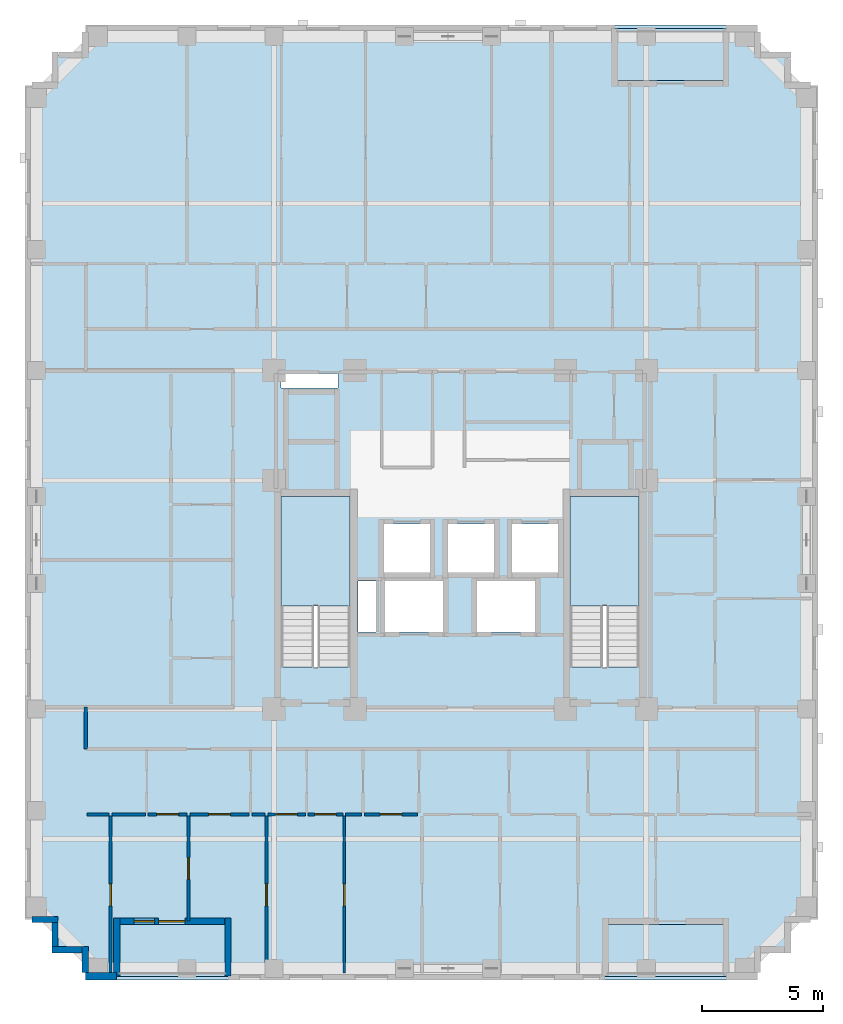
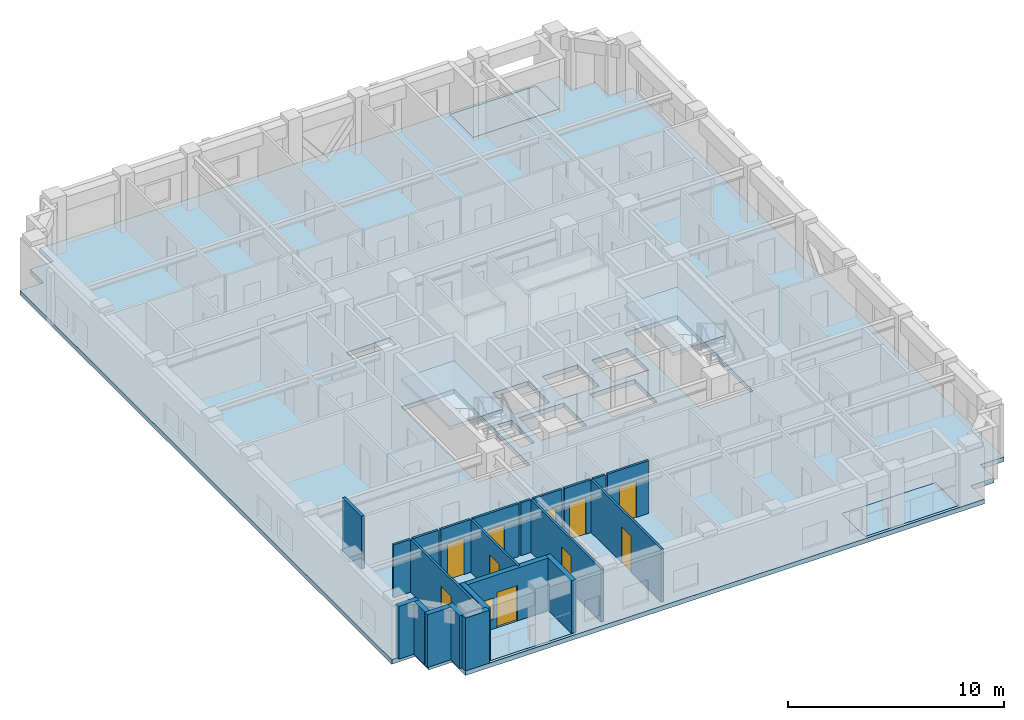
# One storey, part 2 of 12: 22 walls, 10 doors, 6 slabs, 1 window, 11 openings, 2 elements without a shape of their own.
"""IFC4 building model written with IfcOpenShell, lengths in metres."""

from ifc_helpers import new_model, si_unit, derived_unit, direction, frame, frame_2d, origin, place, context, subcontext, project, spatial, polyline, rectangle, outline, extrude, material, layer, layer_set, type_object, element, fill, aggregate, save


model = new_model("IFC4")

# Units and contexts
model_context = context("Model", 3, precision=1e-05, world=origin(), true_north=direction((0.0, 1.0)))
body_context = subcontext(model_context, "Body", "Model", "MODEL_VIEW")
ifc_project = project(units=[si_unit("LENGTHUNIT", "METRE"), si_unit("AREAUNIT", "SQUARE_METRE"), si_unit("VOLUMEUNIT", "CUBIC_METRE"), si_unit("PLANEANGLEUNIT", "RADIAN"), si_unit("MASSUNIT", "GRAM", prefix="KILO"), derived_unit("THERMALTRANSMITTANCEUNIT", [(si_unit("MASSUNIT", "GRAM", prefix="KILO"), 1), (si_unit("TIMEUNIT", "SECOND"), -3), (si_unit("THERMODYNAMICTEMPERATUREUNIT", "KELVIN"), -1)])], contexts=[model_context])

# Site, building, storey
site_placement = place(None, origin())
site = spatial("IfcSite", under=ifc_project, at=site_placement, CompositionType="ELEMENT")
building_placement = place(site_placement, origin())
building = spatial("IfcBuilding", under=site, at=building_placement, Name="Korrvale Station Residences", CompositionType="ELEMENT")
storey_placement = place(building_placement, frame((0.0, 0.0, 130.89990234375)))
storey = spatial("IfcBuildingStorey", under=building, at=storey_placement, Name="L37", CompositionType="ELEMENT", Elevation=130.89990234375)

# Slabs
ifc_material_1 = material(Name="Concrete C50/60", Category="concrete")
ifc_layer_1 = layer(ifc_material_1, 0.219970703125, Name="Concrete C50/60")
ifc_layer_set_1 = layer_set([ifc_layer_1], Name="Concrete C50/60")
slab_type_1 = type_object("IfcSlabType", Name="SLB-BAL-220", PredefinedType="FLOOR", material=ifc_layer_set_1)
slab_1_placement = place(storey_placement, frame((0.0, 0.0, -0.219970703125)))
element("IfcSlab", 1, at=slab_1_placement, inside=storey, type_object=slab_type_1, Name="L37 Recessed Loggia Balcony Slab BAL-L37-S1", PredefinedType="FLOOR", context=body_context, shape_type="SweptSolid", body=[
    extrude(outline(polyline([(11.300048828125, 3.949951171875), (15.89990234375, 3.949951171875), (15.89990234375, 6.10009765625), (11.300048828125, 6.10009765625), (11.300048828125, 3.949951171875)])), origin(), (0.0, 0.0, 1.0), 0.219970703125),
])
slab_2_placement = place(storey_placement, frame((0.0, 0.0, -0.219970703125)))
element("IfcSlab", 2, at=slab_2_placement, inside=storey, type_object=slab_type_1, Name="L37 Recessed Loggia Balcony Slab BAL-L37-N1", PredefinedType="FLOOR", context=body_context, shape_type="SweptSolid", body=[
    extrude(outline(polyline([(31.89990234375, 41.0), (36.5, 41.0), (36.5, 43.14990234375), (31.89990234375, 43.14990234375), (31.89990234375, 41.0)])), origin(), (0.0, 0.0, 1.0), 0.219970703125),
])
slab_3_placement = place(storey_placement, frame((0.0, 0.0, -0.219970703125)))
element("IfcSlab", 3, at=slab_3_placement, inside=storey, type_object=slab_type_1, Name="L37 Recessed Loggia Balcony Slab BAL-L37-S2", PredefinedType="FLOOR", context=body_context, shape_type="SweptSolid", body=[
    extrude(outline(polyline([(31.5, 3.949951171875), (36.5, 3.949951171875), (36.5, 6.10009765625), (31.5, 6.10009765625), (31.5, 3.949951171875)])), origin(), (0.0, 0.0, 1.0), 0.219970703125),
])
ifc_layer_2 = layer(ifc_material_1, 0.260009765625, Name="Concrete C50/60")
ifc_layer_set_2 = layer_set([ifc_layer_2], Name="Concrete C50/60")
slab_type_2 = type_object("IfcSlabType", Name="SLB-FLR-260", PredefinedType="FLOOR", material=ifc_layer_set_2)
slab_4_placement = place(storey_placement, frame((0.0, 0.0, -0.260009765625)))
element("IfcSlab", 4, at=slab_4_placement, inside=storey, type_object=slab_type_2, Name="L37 Suspended Structural Floor Slab", PredefinedType="FLOOR", context=body_context, shape_type="SweptSolid", body=[
    extrude(outline(polyline([(10.0, 3.800048828125), (37.800048828125, 3.800048828125), (37.800048828125, 5.050048828125), (39.050048828125, 5.050048828125), (39.050048828125, 6.300048828125), (40.300048828125, 6.300048828125), (40.300048828125, 40.800048828125), (39.050048828125, 40.800048828125), (39.050048828125, 42.050048828125), (37.800048828125, 42.050048828125), (37.800048828125, 43.300048828125), (10.0, 43.300048828125), (10.0, 42.050048828125), (8.75, 42.050048828125), (8.75, 40.800048828125), (7.5, 40.800048828125), (7.5, 6.300048828125), (8.75, 6.300048828125), (8.75, 5.050048828125), (10.0, 5.050048828125), (10.0, 3.800048828125)]), holes=[polyline([(20.949951171875, 16.751953125), (20.949951171875, 23.800048828125), (18.10009765625, 23.800048828125), (18.10009765625, 16.751953125), (20.949951171875, 16.751953125)]), polyline([(32.89990234375, 16.751953125), (32.89990234375, 23.800048828125), (30.050048828125, 23.800048828125), (30.050048828125, 16.751953125), (32.89990234375, 16.751953125)]), polyline([(22.35009765625, 20.64990234375), (24.25, 20.64990234375), (24.25, 22.64990234375), (22.35009765625, 22.64990234375), (22.35009765625, 20.64990234375)]), polyline([(25.0, 20.64990234375), (26.89990234375, 20.64990234375), (26.89990234375, 22.64990234375), (25.0, 22.64990234375), (25.0, 20.64990234375)]), polyline([(27.64990234375, 20.64990234375), (29.550048828125, 20.64990234375), (29.550048828125, 22.64990234375), (27.64990234375, 22.64990234375), (27.64990234375, 20.64990234375)]), polyline([(22.39990234375, 18.199951171875), (24.800048828125, 18.199951171875), (24.800048828125, 20.300048828125), (22.39990234375, 20.300048828125), (22.39990234375, 18.199951171875)]), polyline([(26.199951171875, 18.199951171875), (28.60009765625, 18.199951171875), (28.60009765625, 20.300048828125), (26.199951171875, 20.300048828125), (26.199951171875, 18.199951171875)]), polyline([(18.10009765625, 28.280029296875), (20.449951171875, 28.280029296875), (20.449951171875, 28.8798828125), (18.10009765625, 28.8798828125), (18.10009765625, 28.280029296875)]), polyline([(21.280029296875, 18.199951171875), (22.02001953125, 18.199951171875), (22.02001953125, 20.300048828125), (21.280029296875, 20.300048828125), (21.280029296875, 18.199951171875)]), polyline([(11.300048828125, 3.949951171875), (15.89990234375, 3.949951171875), (15.89990234375, 6.10009765625), (11.300048828125, 6.10009765625), (11.300048828125, 3.949951171875)]), polyline([(31.89990234375, 41.0), (36.5, 41.0), (36.5, 43.14990234375), (31.89990234375, 43.14990234375), (31.89990234375, 41.0)]), polyline([(31.5, 3.949951171875), (36.5, 3.949951171875), (36.5, 6.10009765625), (31.5, 6.10009765625), (31.5, 3.949951171875)])]), origin(), (0.0, 0.0, 1.0), 0.260009765625),
])

# Stair, slab
stair_type = type_object("IfcStairType", Name="STR-DL-1350-20R-1625", PredefinedType="HALF_TURN_STAIR", material=ifc_material_1)
stair_1_placement = place(storey_placement, origin())
stair_1 = element("IfcStair", 5, at=stair_1_placement, inside=storey, type_object=stair_type, Name="L37 Exit Stair 1", PredefinedType="HALF_TURN_STAIR")
ifc_layer_3 = layer(ifc_material_1, 0.199951171875, Name="Concrete C50/60")
ifc_layer_set_3 = layer_set([ifc_layer_3], Name="Concrete C50/60")
slab_type_3 = type_object("IfcSlabType", Name="SLB-LND-200", PredefinedType="LANDING", material=ifc_layer_set_3)
slab_5_placement = place(storey_placement, frame((0.0, 0.0, 1.425048828125)))
slab_5 = element("IfcSlab", 6, at=slab_5_placement, type_object=slab_type_3, Name="ST-1 landing 1", PredefinedType="LANDING", context=body_context, shape_type="SweptSolid", body=[
    extrude(outline(polyline([(20.949951171875, 19.27001953125), (20.949951171875, 23.800048828125), (18.10009765625, 23.800048828125), (18.10009765625, 19.27001953125), (20.949951171875, 19.27001953125)])), origin(), (0.0, 0.0, 1.0), 0.199951171875),
])
aggregate(stair_1, [slab_5])

stair_2_placement = place(storey_placement, origin())
stair_2 = element("IfcStair", 7, at=stair_2_placement, inside=storey, type_object=stair_type, Name="L37 Exit Stair 2", PredefinedType="HALF_TURN_STAIR")
slab_6_placement = place(storey_placement, frame((0.0, 0.0, 1.425048828125)))
slab_6 = element("IfcSlab", 8, at=slab_6_placement, type_object=slab_type_3, Name="ST-2 landing 1", PredefinedType="LANDING", context=body_context, shape_type="SweptSolid", body=[
    extrude(outline(polyline([(32.89990234375, 19.27001953125), (32.89990234375, 23.800048828125), (30.050048828125, 23.800048828125), (30.050048828125, 19.27001953125), (32.89990234375, 19.27001953125)])), origin(), (0.0, 0.0, 1.0), 0.199951171875),
])
aggregate(stair_2, [slab_6])

# Wall
ifc_material_2 = material(Name="Precast concrete C45/55", Category="concrete")
ifc_layer_4 = layer(ifc_material_2, 0.260009765625, Name="Precast concrete C45/55")
ifc_layer_set_4 = layer_set([ifc_layer_4], Name="Precast concrete C45/55")
wall_type_1 = type_object("IfcWallType", Name="WAL-EXT-LOG260", PredefinedType="SOLIDWALL", material=ifc_layer_set_4)
wall_1_placement = place(storey_placement, frame((15.89990234375, 3.9599609375, 0.0), z_axis=(0.0, 0.0, 1.0), x_axis=(0.0, 1.0, 0.0)))
element("IfcWall", 9, at=wall_1_placement, inside=storey, type_object=wall_type_1, Name="L37 Recessed Loggia Wall BAL-L37-S1-L", PredefinedType="SOLIDWALL", context=body_context, shape_type="SweptSolid", body=[
    extrude(rectangle(XDim=2.400146484375, YDim=0.260009765625, at=frame_2d((1.2001953125, 0.0))), origin(), (0.0, 0.0, 1.0), 2.989990234375),
])

# Wall, openings, door, window
wall_2_placement = place(storey_placement, frame((15.76611328125, 6.22998046875, 0.0), z_axis=(0.0, 0.0, 1.0), x_axis=(-1.0, 0.0, 0.0)))
wall_2 = element("IfcWall", 10, at=wall_2_placement, inside=storey, type_object=wall_type_1, Name="L37 Recessed Loggia Wall BAL-L37-S1-B", PredefinedType="SOLIDWALL", context=body_context, shape_type="SweptSolid", body=[
    extrude(rectangle(XDim=4.33203125, YDim=0.260009765625, at=frame_2d((2.166015625, 0.0))), origin(), (0.0, 0.0, 1.0), 2.989990234375),
])
opening_1_placement = place(wall_2_placement, frame((1.635986328125, 0.0, 0.0)))
opening_1 = element("IfcOpeningElement", 11, at=opening_1_placement, cuts=wall_2, Name="Opening BD-01", PredefinedType="OPENING", context=body_context, shape_type="SweptSolid", body=[
    extrude(rectangle(XDim=1.10009765625, YDim=2.0, at=frame_2d((0.550048828125, 1.0))), frame((0.0, 0.14013671875, 0.0), z_axis=(0.0, -1.0, 0.0), x_axis=(1.0, 0.0, 0.0)), (0.0, 0.0, 1.0), 0.280029296875),
])
opening_2_placement = place(wall_2_placement, frame((2.89599609375, 0.0, 0.550048828125)))
opening_2 = element("IfcOpeningElement", 12, at=opening_2_placement, cuts=wall_2, Name="Opening W-11", PredefinedType="OPENING", context=body_context, shape_type="SweptSolid", body=[
    extrude(rectangle(XDim=0.85009765625, YDim=1.199951171875, at=frame_2d((0.425048828125, 0.60009765625))), frame((0.0, 0.14013671875, 0.0), z_axis=(0.0, -1.0, 0.0), x_axis=(1.0, 0.0, 0.0)), (0.0, 0.0, 1.0), 0.280029296875),
])
ifc_material_3 = material(Name="Exterior thermally broken aluminium glazed balcony door", Category="aluminium")
door_type_1 = type_object("IfcDoorType", Name="DR-EXT-BAL", OperationType="NOTDEFINED", PredefinedType="DOOR", material=ifc_material_3)
door_1_placement = place(opening_1_placement, origin())
door_1 = element("IfcDoor", 13, at=door_1_placement, inside=storey, type_object=door_type_1, Name="L37 Loggia Balcony Door BAL-L37-S1", OperationType="SINGLE_SWING_LEFT", OverallHeight=2.0, OverallWidth=1.10009765625, PredefinedType="DOOR", context=body_context, shape_type="SweptSolid", body=[
    extrude(rectangle(XDim=1.10009765625, YDim=2.0, at=frame_2d((0.550048828125, 1.0))), frame((0.0, 0.02490234375, 0.0), z_axis=(0.0, -1.0, 0.0), x_axis=(1.0, 0.0, 0.0)), (0.0, 0.0, 1.0), 0.050048828125),
])
fill(opening_1, door_1)
ifc_material_4 = material(Name="Thermally broken aluminium frame with triple low-e glazing", Category="aluminium")
window_type = type_object("IfcWindowType", Name="WIN-W11", PartitioningType="SINGLE_PANEL", PredefinedType="WINDOW", material=ifc_material_4)
window_placement = place(opening_2_placement, origin())
window = element("IfcWindow", 14, at=window_placement, inside=storey, type_object=window_type, Name="L37 Punched Window 02", OverallHeight=1.199951171875, OverallWidth=0.85009765625, PartitioningType="SINGLE_PANEL", PredefinedType="WINDOW", context=body_context, shape_type="SweptSolid", body=[
    extrude(rectangle(XDim=0.85009765625, YDim=1.199951171875, at=frame_2d((0.425048828125, 0.60009765625))), frame((0.0, 0.030029296875, 0.0), z_axis=(0.0, -1.0, 0.0), x_axis=(1.0, 0.0, 0.0)), (0.0, 0.0, 1.0), 0.06005859375),
])
fill(opening_2, window)

# Walls
wall_3_placement = place(storey_placement, frame((11.300048828125, 6.360107421875, 0.0), z_axis=(0.0, 0.0, 1.0), x_axis=(0.0, -1.0, 0.0)))
element("IfcWall", 15, at=wall_3_placement, inside=storey, type_object=wall_type_1, Name="L37 Recessed Loggia Wall BAL-L37-S1-R", PredefinedType="SOLIDWALL", context=body_context, shape_type="SweptSolid", body=[
    extrude(rectangle(XDim=2.400146484375, YDim=0.260009765625, at=frame_2d((1.2001953125, 0.0))), origin(), (0.0, 0.0, 1.0), 2.989990234375),
])
wall_4_placement = place(storey_placement, frame((10.0, 4.10205078125, 0.0), z_axis=(0.0, 0.0, 1.0), x_axis=(0.0, 1.0, 0.0)))
element("IfcWall", 16, at=wall_4_placement, inside=storey, type_object=wall_type_1, Name="L37 Serrated Corner Precast Step SW-1", PredefinedType="SOLIDWALL", context=body_context, shape_type="SweptSolid", body=[
    extrude(rectangle(XDim=1.077880859375, YDim=0.260009765625, at=frame_2d((0.5390625, 0.0))), origin(), (0.0, 0.0, 1.0), 2.989990234375),
])
wall_5_placement = place(storey_placement, frame((9.867919921875, 5.050048828125, 0.0), z_axis=(0.0, 0.0, 1.0), x_axis=(-1.0, 0.0, 0.0)))
element("IfcWall", 17, at=wall_5_placement, inside=storey, type_object=wall_type_1, Name="L37 Serrated Corner Precast Step SW-2", PredefinedType="SOLIDWALL", context=body_context, shape_type="SweptSolid", body=[
    extrude(rectangle(XDim=1.247802734375, YDim=0.260009765625, at=frame_2d((0.6240234375, 0.0))), origin(), (0.0, 0.0, 1.0), 2.989990234375),
])
wall_6_placement = place(storey_placement, frame((8.75, 5.181884765625, 0.0), z_axis=(0.0, 0.0, 1.0), x_axis=(0.0, 1.0, 0.0)))
element("IfcWall", 18, at=wall_6_placement, inside=storey, type_object=wall_type_1, Name="L37 Serrated Corner Precast Step SW-3", PredefinedType="SOLIDWALL", context=body_context, shape_type="SweptSolid", body=[
    extrude(rectangle(XDim=0.986083984375, YDim=0.260009765625, at=frame_2d((0.4931640625, 0.0))), origin(), (0.0, 0.0, 1.0), 2.989990234375),
])
wall_7_placement = place(storey_placement, frame((8.8798828125, 6.300048828125, 0.0), z_axis=(0.0, 0.0, 1.0), x_axis=(-1.0, 0.0, 0.0)))
element("IfcWall", 19, at=wall_7_placement, inside=storey, type_object=wall_type_1, Name="L37 Serrated Corner Precast Step SW-4", PredefinedType="SOLIDWALL", context=body_context, shape_type="SweptSolid", body=[
    extrude(rectangle(XDim=1.077880859375, YDim=0.260009765625, at=frame_2d((0.5390625, 0.0))), origin(), (0.0, 0.0, 1.0), 2.989990234375),
])
ifc_layer_5 = layer(ifc_material_2, 0.300048828125, Name="Precast concrete C45/55")
ifc_layer_set_5 = layer_set([ifc_layer_5], Name="Precast concrete C45/55")
wall_type_2 = type_object("IfcWallType", Name="WAL-EXT-PC300", PredefinedType="SOLIDWALL", material=ifc_layer_set_5)
wall_8_placement = place(storey_placement, frame((11.300048828125, 3.949951171875, 0.0), z_axis=(0.0, 0.0, 1.0), x_axis=(-1.0, 0.0, 0.0)))
element("IfcWall", 20, at=wall_8_placement, inside=storey, type_object=wall_type_2, Name="L37 South Exterior Precast Wall 3", PredefinedType="SOLIDWALL", context=body_context, shape_type="SweptSolid", body=[
    extrude(rectangle(XDim=1.300048828125, YDim=0.300048828125, at=frame_2d((0.64990234375, 0.0))), origin(), (0.0, 0.0, 1.0), 2.989990234375),
])
ifc_material_5 = material(Name="Acoustic steel-stud gypsum board partition", Category="steel")
ifc_layer_6 = layer(ifc_material_5, 0.1201171875, Name="Acoustic steel-stud gypsum board partition")
ifc_layer_set_6 = layer_set([ifc_layer_6], Name="Acoustic steel-stud gypsum board partition")
wall_type_3 = type_object("IfcWallType", Name="WAL-PART-125", PredefinedType="PARTITIONING", material=ifc_layer_set_6)
wall_9_placement = place(storey_placement, frame((10.080078125, 10.64990234375, 0.0), z_axis=(0.0, 0.0, 1.0), x_axis=(1.0, 0.0, 0.0)))
element("IfcWall", 21, at=wall_9_placement, inside=storey, type_object=wall_type_3, Name="L37 Suite Partition U01-H09", PredefinedType="PARTITIONING", context=body_context, shape_type="SweptSolid", body=[
    extrude(rectangle(XDim=0.909912109375, YDim=0.1201171875, at=frame_2d((0.455078125, 0.0))), origin(), (0.0, 0.0, 1.0), 2.989990234375),
])
wall_10_placement = place(storey_placement, frame((11.110107421875, 10.64990234375, 0.0), z_axis=(0.0, 0.0, 1.0), x_axis=(1.0, 0.0, 0.0)))
element("IfcWall", 22, at=wall_10_placement, inside=storey, type_object=wall_type_3, Name="L37 Suite Partition U01-H010", PredefinedType="PARTITIONING", context=body_context, shape_type="SweptSolid", body=[
    extrude(rectangle(XDim=1.369873046875, YDim=0.1201171875, at=frame_2d((0.68505859375, 0.0))), origin(), (0.0, 0.0, 1.0), 2.989990234375),
])

# Wall, opening, door
wall_11_placement = place(storey_placement, frame((12.60009765625, 10.64990234375, 0.0), z_axis=(0.0, 0.0, 1.0), x_axis=(1.0, 0.0, 0.0)))
wall_11 = element("IfcWall", 23, at=wall_11_placement, inside=storey, type_object=wall_type_3, Name="L37 Suite Partition U01-H110", PredefinedType="PARTITIONING", context=body_context, shape_type="SweptSolid", body=[
    extrude(rectangle(XDim=1.60986328125, YDim=0.1201171875, at=frame_2d((0.804931640625, 0.0))), origin(), (0.0, 0.0, 1.0), 2.989990234375),
])
opening_3_placement = place(wall_11_placement, frame((0.35498046875, 0.0, 0.0)))
opening_3 = element("IfcOpeningElement", 24, at=opening_3_placement, cuts=wall_11, Name="Opening DI-900", PredefinedType="OPENING", context=body_context, shape_type="SweptSolid", body=[
    extrude(rectangle(XDim=0.89990234375, YDim=2.050048828125, at=frame_2d((0.449951171875, 1.02490234375))), frame((0.0, 0.070068359375, 0.0), z_axis=(0.0, -1.0, 0.0), x_axis=(1.0, 0.0, 0.0)), (0.0, 0.0, 1.0), 0.14013671875),
])
ifc_material_6 = material(Name="Painted solid-core timber interior room door", Category="wood")
door_type_2 = type_object("IfcDoorType", Name="DR-INT-900", OperationType="NOTDEFINED", PredefinedType="DOOR", material=ifc_material_6)
door_2_placement = place(opening_3_placement, origin())
door_2 = element("IfcDoor", 25, at=door_2_placement, inside=storey, type_object=door_type_2, Name="L37 Studio Apartment L37-U01 Kitchen Door", OperationType="SINGLE_SWING_LEFT", OverallHeight=2.050048828125, OverallWidth=0.89990234375, PredefinedType="DOOR", context=body_context, shape_type="SweptSolid", body=[
    extrude(rectangle(XDim=0.89990234375, YDim=2.050048828125, at=frame_2d((0.449951171875, 1.02490234375))), frame((0.0, 0.02490234375, 0.0), z_axis=(0.0, -1.0, 0.0), x_axis=(1.0, 0.0, 0.0)), (0.0, 0.0, 1.0), 0.050048828125),
])
fill(opening_3, door_2)

wall_12_placement = place(storey_placement, frame((14.330078125, 10.64990234375, 0.0), z_axis=(0.0, 0.0, 1.0), x_axis=(1.0, 0.0, 0.0)))
wall_12 = element("IfcWall", 26, at=wall_12_placement, inside=storey, type_object=wall_type_3, Name="L37 Suite Partition U01-H111", PredefinedType="PARTITIONING", context=body_context, shape_type="SweptSolid", body=[
    extrude(rectangle(XDim=2.449951171875, YDim=0.1201171875, at=frame_2d((1.22509765625, 0.0))), origin(), (0.0, 0.0, 1.0), 2.989990234375),
])
opening_4_placement = place(wall_12_placement, frame((0.77490234375, 0.0, 0.0)))
opening_4 = element("IfcOpeningElement", 27, at=opening_4_placement, cuts=wall_12, Name="Opening DI-900", PredefinedType="OPENING", context=body_context, shape_type="SweptSolid", body=[
    extrude(rectangle(XDim=0.89990234375, YDim=2.050048828125, at=frame_2d((0.449951171875, 1.02490234375))), frame((0.0, 0.070068359375, 0.0), z_axis=(0.0, -1.0, 0.0), x_axis=(1.0, 0.0, 0.0)), (0.0, 0.0, 1.0), 0.14013671875),
])
door_3_placement = place(opening_4_placement, origin())
door_3 = element("IfcDoor", 28, at=door_3_placement, inside=storey, type_object=door_type_2, Name="L37 Studio Apartment L37-U01 Kitchen Door", OperationType="SINGLE_SWING_RIGHT", OverallHeight=2.050048828125, OverallWidth=0.89990234375, PredefinedType="DOOR", context=body_context, shape_type="SweptSolid", body=[
    extrude(rectangle(XDim=0.89990234375, YDim=2.050048828125, at=frame_2d((0.449951171875, 1.02490234375))), frame((0.0, 0.02490234375, 0.0), z_axis=(0.0, -1.0, 0.0), x_axis=(1.0, 0.0, 0.0)), (0.0, 0.0, 1.0), 0.050048828125),
])
fill(opening_4, door_3)

# Wall
wall_13_placement = place(storey_placement, frame((16.89990234375, 10.64990234375, 0.0), z_axis=(0.0, 0.0, 1.0), x_axis=(1.0, 0.0, 0.0)))
element("IfcWall", 29, at=wall_13_placement, inside=storey, type_object=wall_type_3, Name="L37 Suite Partition U01-H211", PredefinedType="PARTITIONING", context=body_context, shape_type="SweptSolid", body=[
    extrude(rectangle(XDim=0.530029296875, YDim=0.1201171875, at=frame_2d((0.26513671875, 0.0))), origin(), (0.0, 0.0, 1.0), 2.989990234375),
])

# Wall, opening, door
wall_14_placement = place(storey_placement, frame((17.550048828125, 10.64990234375, 0.0), z_axis=(0.0, 0.0, 1.0), x_axis=(1.0, 0.0, 0.0)))
wall_14 = element("IfcWall", 30, at=wall_14_placement, inside=storey, type_object=wall_type_3, Name="L37 Suite Partition U01-H212", PredefinedType="PARTITIONING", context=body_context, shape_type="SweptSolid", body=[
    extrude(rectangle(XDim=1.550048828125, YDim=0.1201171875, at=frame_2d((0.77490234375, 0.0))), origin(), (0.0, 0.0, 1.0), 2.989990234375),
])
opening_5_placement = place(wall_14_placement, frame((0.324951171875, 0.0, 0.0)))
opening_5 = element("IfcOpeningElement", 31, at=opening_5_placement, cuts=wall_14, Name="Opening DI-900", PredefinedType="OPENING", context=body_context, shape_type="SweptSolid", body=[
    extrude(rectangle(XDim=0.89990234375, YDim=2.050048828125, at=frame_2d((0.449951171875, 1.02490234375))), frame((0.0, 0.070068359375, 0.0), z_axis=(0.0, -1.0, 0.0), x_axis=(1.0, 0.0, 0.0)), (0.0, 0.0, 1.0), 0.14013671875),
])
door_4_placement = place(opening_5_placement, origin())
door_4 = element("IfcDoor", 32, at=door_4_placement, inside=storey, type_object=door_type_2, Name="L37 Studio Apartment L37-U01 Wardrobe Storage Room Door", OperationType="SINGLE_SWING_RIGHT", OverallHeight=2.050048828125, OverallWidth=0.89990234375, PredefinedType="DOOR", context=body_context, shape_type="SweptSolid", body=[
    extrude(rectangle(XDim=0.89990234375, YDim=2.050048828125, at=frame_2d((0.449951171875, 1.02490234375))), frame((0.0, 0.02490234375, 0.0), z_axis=(0.0, -1.0, 0.0), x_axis=(1.0, 0.0, 0.0)), (0.0, 0.0, 1.0), 0.050048828125),
])
fill(opening_5, door_4)

wall_15_placement = place(storey_placement, frame((19.219970703125, 10.64990234375, 0.0), z_axis=(0.0, 0.0, 1.0), x_axis=(1.0, 0.0, 0.0)))
wall_15 = element("IfcWall", 33, at=wall_15_placement, inside=storey, type_object=wall_type_3, Name="L37 Suite Partition U01-H312", PredefinedType="PARTITIONING", context=body_context, shape_type="SweptSolid", body=[
    extrude(rectangle(XDim=1.429931640625, YDim=0.1201171875, at=frame_2d((0.71484375, 0.0))), origin(), (0.0, 0.0, 1.0), 2.989990234375),
])
opening_6_placement = place(wall_15_placement, frame((0.264892578125, 0.0, 0.0)))
opening_6 = element("IfcOpeningElement", 34, at=opening_6_placement, cuts=wall_15, Name="Opening DI-900", PredefinedType="OPENING", context=body_context, shape_type="SweptSolid", body=[
    extrude(rectangle(XDim=0.89990234375, YDim=2.050048828125, at=frame_2d((0.449951171875, 1.02490234375))), frame((0.0, 0.070068359375, 0.0), z_axis=(0.0, -1.0, 0.0), x_axis=(1.0, 0.0, 0.0)), (0.0, 0.0, 1.0), 0.14013671875),
])
door_5_placement = place(opening_6_placement, origin())
door_5 = element("IfcDoor", 35, at=door_5_placement, inside=storey, type_object=door_type_2, Name="L37 Studio Apartment L37-U01 Wardrobe Storage Room Door", OperationType="SINGLE_SWING_RIGHT", OverallHeight=2.050048828125, OverallWidth=0.89990234375, PredefinedType="DOOR", context=body_context, shape_type="SweptSolid", body=[
    extrude(rectangle(XDim=0.89990234375, YDim=2.050048828125, at=frame_2d((0.449951171875, 1.02490234375))), frame((0.0, 0.02490234375, 0.0), z_axis=(0.0, -1.0, 0.0), x_axis=(1.0, 0.0, 0.0)), (0.0, 0.0, 1.0), 0.050048828125),
])
fill(opening_6, door_5)

# Wall
wall_16_placement = place(storey_placement, frame((20.77001953125, 10.64990234375, 0.0), z_axis=(0.0, 0.0, 1.0), x_axis=(1.0, 0.0, 0.0)))
element("IfcWall", 36, at=wall_16_placement, inside=storey, type_object=wall_type_3, Name="L37 Suite Partition U01-H313", PredefinedType="PARTITIONING", context=body_context, shape_type="SweptSolid", body=[
    extrude(rectangle(XDim=0.64990234375, YDim=0.1201171875, at=frame_2d((0.324951171875, 0.0))), origin(), (0.0, 0.0, 1.0), 2.989990234375),
])

# Wall, opening, door
wall_17_placement = place(storey_placement, frame((21.5400390625, 10.64990234375, 0.0), z_axis=(0.0, 0.0, 1.0), x_axis=(1.0, 0.0, 0.0)))
wall_17 = element("IfcWall", 37, at=wall_17_placement, inside=storey, type_object=wall_type_3, Name="L37 Suite Partition U01-H413", PredefinedType="PARTITIONING", context=body_context, shape_type="SweptSolid", body=[
    extrude(rectangle(XDim=2.199951171875, YDim=0.1201171875, at=frame_2d((1.10009765625, 0.0))), origin(), (0.0, 0.0, 1.0), 2.989990234375),
])
opening_7_placement = place(wall_17_placement, frame((0.64990234375, 0.0, 0.0)))
opening_7 = element("IfcOpeningElement", 38, at=opening_7_placement, cuts=wall_17, Name="Opening DI-900", PredefinedType="OPENING", context=body_context, shape_type="SweptSolid", body=[
    extrude(rectangle(XDim=0.89990234375, YDim=2.050048828125, at=frame_2d((0.449951171875, 1.02490234375))), frame((0.0, 0.070068359375, 0.0), z_axis=(0.0, -1.0, 0.0), x_axis=(1.0, 0.0, 0.0)), (0.0, 0.0, 1.0), 0.14013671875),
])
door_6_placement = place(opening_7_placement, origin())
door_6 = element("IfcDoor", 39, at=door_6_placement, inside=storey, type_object=door_type_2, Name="L37 Studio Apartment L37-U01 Wardrobe Storage Room Door", OperationType="SINGLE_SWING_RIGHT", OverallHeight=2.050048828125, OverallWidth=0.89990234375, PredefinedType="DOOR", context=body_context, shape_type="SweptSolid", body=[
    extrude(rectangle(XDim=0.89990234375, YDim=2.050048828125, at=frame_2d((0.449951171875, 1.02490234375))), frame((0.0, 0.02490234375, 0.0), z_axis=(0.0, -1.0, 0.0), x_axis=(1.0, 0.0, 0.0)), (0.0, 0.0, 1.0), 0.050048828125),
])
fill(opening_7, door_6)

wall_18_placement = place(storey_placement, frame((11.050048828125, 4.080078125, 0.0), z_axis=(0.0, 0.0, 1.0), x_axis=(0.0, 1.0, 0.0)))
wall_18 = element("IfcWall", 40, at=wall_18_placement, inside=storey, type_object=wall_type_3, Name="L37 Suite Partition U01-V910", PredefinedType="PARTITIONING", context=body_context, shape_type="SweptSolid", body=[
    extrude(rectangle(XDim=6.510009765625, YDim=0.1201171875, at=frame_2d((3.2548828125, 0.0))), origin(), (0.0, 0.0, 1.0), 2.989990234375),
])
opening_8_placement = place(wall_18_placement, frame((2.7900390625, 0.0, 0.0)))
opening_8 = element("IfcOpeningElement", 41, at=opening_8_placement, cuts=wall_18, Name="Opening DI-900", PredefinedType="OPENING", context=body_context, shape_type="SweptSolid", body=[
    extrude(rectangle(XDim=0.89990234375, YDim=2.050048828125, at=frame_2d((0.449951171875, 1.02490234375))), frame((0.0, 0.070068359375, 0.0), z_axis=(0.0, -1.0, 0.0), x_axis=(1.0, 0.0, 0.0)), (0.0, 0.0, 1.0), 0.14013671875),
])
door_7_placement = place(opening_8_placement, origin())
door_7 = element("IfcDoor", 42, at=door_7_placement, inside=storey, type_object=door_type_2, Name="L37 Studio Apartment L37-U01 Walk-In Wardrobe Door", OperationType="SINGLE_SWING_RIGHT", OverallHeight=2.050048828125, OverallWidth=0.89990234375, PredefinedType="DOOR", context=body_context, shape_type="SweptSolid", body=[
    extrude(rectangle(XDim=0.89990234375, YDim=2.050048828125, at=frame_2d((0.449951171875, 1.02490234375))), frame((0.0, 0.02490234375, 0.0), z_axis=(0.0, -1.0, 0.0), x_axis=(1.0, 0.0, 0.0)), (0.0, 0.0, 1.0), 0.050048828125),
])
fill(opening_8, door_7)

wall_19_placement = place(storey_placement, frame((14.27001953125, 6.22998046875, 0.0), z_axis=(0.0, 0.0, 1.0), x_axis=(0.0, 1.0, 0.0)))
wall_19 = element("IfcWall", 43, at=wall_19_placement, inside=storey, type_object=wall_type_3, Name="L37 Suite Partition U01-V1011", PredefinedType="PARTITIONING", context=body_context, shape_type="SweptSolid", body=[
    extrude(rectangle(XDim=4.360107421875, YDim=0.1201171875, at=frame_2d((2.18017578125, 0.0))), origin(), (0.0, 0.0, 1.0), 2.989990234375),
])
opening_9_placement = place(wall_19_placement, frame((1.72998046875, 0.0, 0.0)))
opening_9 = element("IfcOpeningElement", 44, at=opening_9_placement, cuts=wall_19, Name="Opening DI-900", PredefinedType="OPENING", context=body_context, shape_type="SweptSolid", body=[
    extrude(rectangle(XDim=0.89990234375, YDim=2.050048828125, at=frame_2d((0.449951171875, 1.02490234375))), frame((0.0, 0.070068359375, 0.0), z_axis=(0.0, -1.0, 0.0), x_axis=(1.0, 0.0, 0.0)), (0.0, 0.0, 1.0), 0.14013671875),
])
door_8_placement = place(opening_9_placement, origin())
door_8 = element("IfcDoor", 45, at=door_8_placement, inside=storey, type_object=door_type_2, Name="L37 Studio Apartment L37-U01 Formal Dining Room Door", OperationType="SINGLE_SWING_LEFT", OverallHeight=2.050048828125, OverallWidth=0.89990234375, PredefinedType="DOOR", context=body_context, shape_type="SweptSolid", body=[
    extrude(rectangle(XDim=0.89990234375, YDim=2.050048828125, at=frame_2d((0.449951171875, 1.02490234375))), frame((0.0, 0.02490234375, 0.0), z_axis=(0.0, -1.0, 0.0), x_axis=(1.0, 0.0, 0.0)), (0.0, 0.0, 1.0), 0.050048828125),
])
fill(opening_9, door_8)

wall_20_placement = place(storey_placement, frame((17.489990234375, 4.080078125, 0.0), z_axis=(0.0, 0.0, 1.0), x_axis=(0.0, 1.0, 0.0)))
wall_20 = element("IfcWall", 46, at=wall_20_placement, inside=storey, type_object=wall_type_3, Name="L37 Suite Partition U01-V1112", PredefinedType="PARTITIONING", context=body_context, shape_type="SweptSolid", body=[
    extrude(rectangle(XDim=6.510009765625, YDim=0.1201171875, at=frame_2d((3.2548828125, 0.0))), origin(), (0.0, 0.0, 1.0), 2.989990234375),
])
opening_10_placement = place(wall_20_placement, frame((2.7900390625, 0.0, 0.0)))
opening_10 = element("IfcOpeningElement", 47, at=opening_10_placement, cuts=wall_20, Name="Opening DI-900", PredefinedType="OPENING", context=body_context, shape_type="SweptSolid", body=[
    extrude(rectangle(XDim=0.89990234375, YDim=2.050048828125, at=frame_2d((0.449951171875, 1.02490234375))), frame((0.0, 0.070068359375, 0.0), z_axis=(0.0, -1.0, 0.0), x_axis=(1.0, 0.0, 0.0)), (0.0, 0.0, 1.0), 0.14013671875),
])
door_9_placement = place(opening_10_placement, origin())
door_9 = element("IfcDoor", 48, at=door_9_placement, inside=storey, type_object=door_type_2, Name="L37 Studio Apartment L37-U01 Formal Dining Room Door", OperationType="SINGLE_SWING_RIGHT", OverallHeight=2.050048828125, OverallWidth=0.89990234375, PredefinedType="DOOR", context=body_context, shape_type="SweptSolid", body=[
    extrude(rectangle(XDim=0.89990234375, YDim=2.050048828125, at=frame_2d((0.449951171875, 1.02490234375))), frame((0.0, 0.02490234375, 0.0), z_axis=(0.0, -1.0, 0.0), x_axis=(1.0, 0.0, 0.0)), (0.0, 0.0, 1.0), 0.050048828125),
])
fill(opening_10, door_9)

wall_21_placement = place(storey_placement, frame((20.7099609375, 4.080078125, 0.0), z_axis=(0.0, 0.0, 1.0), x_axis=(0.0, 1.0, 0.0)))
wall_21 = element("IfcWall", 49, at=wall_21_placement, inside=storey, type_object=wall_type_3, Name="L37 Suite Partition U01-V1213", PredefinedType="PARTITIONING", context=body_context, shape_type="SweptSolid", body=[
    extrude(rectangle(XDim=6.510009765625, YDim=0.1201171875, at=frame_2d((3.2548828125, 0.0))), origin(), (0.0, 0.0, 1.0), 2.989990234375),
])
opening_11_placement = place(wall_21_placement, frame((2.7900390625, 0.0, 0.0)))
opening_11 = element("IfcOpeningElement", 50, at=opening_11_placement, cuts=wall_21, Name="Opening DI-900", PredefinedType="OPENING", context=body_context, shape_type="SweptSolid", body=[
    extrude(rectangle(XDim=0.89990234375, YDim=2.050048828125, at=frame_2d((0.449951171875, 1.02490234375))), frame((0.0, 0.070068359375, 0.0), z_axis=(0.0, -1.0, 0.0), x_axis=(1.0, 0.0, 0.0)), (0.0, 0.0, 1.0), 0.14013671875),
])
door_10_placement = place(opening_11_placement, origin())
door_10 = element("IfcDoor", 51, at=door_10_placement, inside=storey, type_object=door_type_2, Name="L37 Studio Apartment L37-U01 Formal Dining Room Door", OperationType="SINGLE_SWING_LEFT", OverallHeight=2.050048828125, OverallWidth=0.89990234375, PredefinedType="DOOR", context=body_context, shape_type="SweptSolid", body=[
    extrude(rectangle(XDim=0.89990234375, YDim=2.050048828125, at=frame_2d((0.449951171875, 1.02490234375))), frame((0.0, 0.02490234375, 0.0), z_axis=(0.0, -1.0, 0.0), x_axis=(1.0, 0.0, 0.0)), (0.0, 0.0, 1.0), 0.050048828125),
])
fill(opening_11, door_10)

# Wall
ifc_material_7 = material(Name="Fire-rated twin-stud gypsum and mineral wool shaftwall assembly", Category="gypsum")
ifc_layer_7 = layer(ifc_material_7, 0.159912109375, Name="Fire-rated twin-stud gypsum and mineral wool shaftwall assembly")
ifc_layer_set_7 = layer_set([ifc_layer_7], Name="Fire-rated twin-stud gypsum and mineral wool shaftwall assembly")
wall_type_4 = type_object("IfcWallType", Name="WAL-PART-200", PredefinedType="PARTITIONING", material=ifc_layer_set_7)
wall_22_placement = place(storey_placement, frame((10.02001953125, 13.35009765625, 0.0), z_axis=(0.0, 0.0, 1.0), x_axis=(0.0, 1.0, 0.0)))
element("IfcWall", 52, at=wall_22_placement, inside=storey, type_object=wall_type_4, Name="L37 Corridor South West Cap", PredefinedType="PARTITIONING", context=body_context, shape_type="SweptSolid", body=[
    extrude(rectangle(XDim=1.739990234375, YDim=0.159912109375, at=frame_2d((0.8701171875, 0.0))), origin(), (0.0, 0.0, 1.0), 2.989990234375),
])

save(model, "model.ifc")
